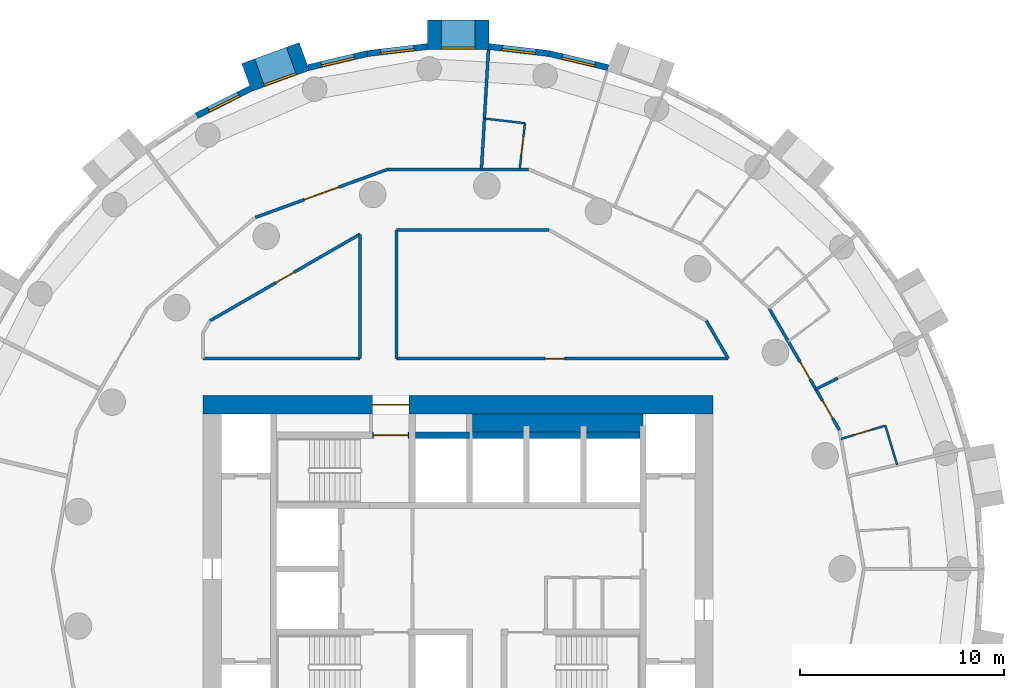
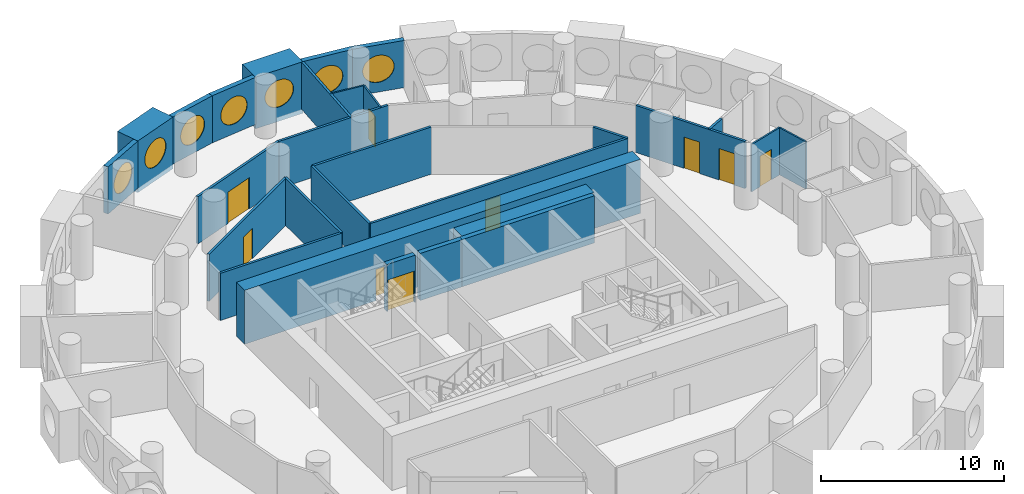
# One storey, part 6 of 9: 28 walls, 9 doors, 7 windows, 16 openings.
"""IFC4 building model written with IfcOpenShell, lengths in metres."""

from ifc_helpers import new_model, si_unit, direction, frame, frame_2d, origin, origin_2d, place, context, subcontext, project, spatial, rectangle, circle, extrude, material, layer, layer_set, type_object, element, fill, save


model = new_model("IFC4")

# Units and contexts
model_context = context("Model", 3, precision=1e-05, world=origin(), true_north=direction((0.0, 1.0)))
body_context = subcontext(model_context, "Body", "Model", "MODEL_VIEW")
ifc_project = project(units=[si_unit("LENGTHUNIT", "METRE"), si_unit("AREAUNIT", "SQUARE_METRE"), si_unit("VOLUMEUNIT", "CUBIC_METRE"), si_unit("PLANEANGLEUNIT", "RADIAN"), si_unit("MASSUNIT", "GRAM", prefix="KILO")], contexts=[model_context])

# Site, building, storey
site_placement = place(None, origin())
site = spatial("IfcSite", under=ifc_project, at=site_placement, CompositionType="ELEMENT")
building_placement = place(site_placement, origin())
building = spatial("IfcBuilding", under=site, at=building_placement, Name="Tracery Tower", CompositionType="ELEMENT")
storey_placement = place(building_placement, frame((0.0, 0.0, 216.0)))
storey = spatial("IfcBuildingStorey", under=building, at=storey_placement, Name="L56", CompositionType="ELEMENT", Elevation=216.0)

# Wall
ifc_material_1 = material(Name="Concrete C50/60", Category="concrete")
ifc_layer_1 = layer(ifc_material_1, 0.89990234375)
ifc_layer_set_1 = layer_set([ifc_layer_1], Name="Core strip wall 900 C50")
wall_type_1 = type_object("IfcWallType", Name="Core strip wall 900 C50", PredefinedType="SOLIDWALL", material=ifc_layer_set_1)
wall_1_placement = place(storey_placement, frame((0.699951171875, 7.14990234375, 0.0), z_axis=(0.0, 0.0, 1.0), x_axis=(1.0, 0.0, 0.0)))
element("IfcWall", 1, at=wall_1_placement, inside=storey, type_object=wall_type_1, Name="L56 F thick N E", PredefinedType="SOLIDWALL", context=body_context, shape_type="SweptSolid", body=[
    extrude(rectangle(XDim=8.35009765625, YDim=0.89990234375, at=frame_2d((4.175048828125, 0.0))), origin(), (0.0, 0.0, 1.0), 3.14990234375),
])

# Wall, opening, door
ifc_material_2 = material(Name="Concrete C50/60", Category="concrete")
ifc_layer_2 = layer(ifc_material_2, 0.89990234375)
ifc_layer_set_2 = layer_set([ifc_layer_2], Name="Core wall 900 C50")
wall_type_2 = type_object("IfcWallType", Name="Core wall 900 C50", PredefinedType="SOLIDWALL", material=ifc_layer_set_2)
wall_2_placement = place(storey_placement, frame((-12.5, 8.050048828125, 0.0), z_axis=(0.0, 0.0, 1.0), x_axis=(1.0, 0.0, 0.0)))
wall_2 = element("IfcWall", 2, at=wall_2_placement, inside=storey, type_object=wall_type_2, Name="L56 outer N", PredefinedType="SOLIDWALL", context=body_context, shape_type="SweptSolid", body=[
    extrude(rectangle(XDim=25.0, YDim=0.89990234375, at=frame_2d((12.5, 0.0))), origin(), (0.0, 0.0, 1.0), 3.60009765625),
])
opening_1_placement = place(wall_2_placement, frame((8.300048828125, 0.0, 0.0)))
opening_1 = element("IfcOpeningElement", 3, at=opening_1_placement, cuts=wall_2, Name="Opening KD13", PredefinedType="OPENING", context=body_context, shape_type="SweptSolid", body=[
    extrude(rectangle(XDim=1.800048828125, YDim=2.10009765625, at=frame_2d((0.89990234375, 1.050048828125))), frame((0.0, 0.449951171875, 0.0), z_axis=(0.0, -1.0, 0.0), x_axis=(1.0, 0.0, 0.0)), (0.0, 0.0, 1.0), 0.89990234375),
])
ifc_material_3 = material(Name="Steel fire door", Category="steel")
door_type_1 = type_object("IfcDoorType", Name="Core exit door 1800 double", OperationType="NOTDEFINED", PredefinedType="DOOR", material=ifc_material_3)
door_1_placement = place(opening_1_placement, origin())
door_1 = element("IfcDoor", 4, at=door_1_placement, inside=storey, type_object=door_type_1, Name="Core exit door", OperationType="DOUBLE_DOOR_SINGLE_SWING", OverallHeight=2.10009765625, OverallWidth=1.800048828125, PredefinedType="DOOR", context=body_context, shape_type="SweptSolid", body=[
    extrude(rectangle(XDim=1.800048828125, YDim=2.10009765625, at=frame_2d((0.89990234375, 1.050048828125))), frame((0.0, 0.02490234375, 0.0), z_axis=(0.0, -1.0, 0.0), x_axis=(1.0, 0.0, 0.0)), (0.0, 0.0, 1.0), 0.050048828125),
])
fill(opening_1, door_1)

# Wall, opening, window
ifc_material_4 = material(Name="Precast concrete C50/60", Category="concrete")
ifc_layer_3 = layer(ifc_material_4, 1.449951171875)
ifc_layer_set_3 = layer_set([ifc_layer_3], Name="Deep-set bay unit 3000 x 3450, slab edge 300")
wall_type_3 = type_object("IfcWallType", Name="Deep-set bay unit 3000 x 3450, slab edge 300", PredefinedType="ELEMENTEDWALL", material=ifc_layer_set_3)
wall_3_placement = place(storey_placement, frame((1.5, 26.178955078125, -0.300048828125), z_axis=(0.0, 0.0, 1.0), x_axis=(-1.0, 0.0, 0.0)))
wall_3 = element("IfcWall", 5, at=wall_3_placement, inside=storey, type_object=wall_type_3, Name="Deep-set bay unit 14 at L56", PredefinedType="ELEMENTEDWALL", context=body_context, shape_type="SweptSolid", body=[
    extrude(rectangle(XDim=3.0, YDim=1.449951171875, at=frame_2d((1.5, 0.0))), origin(), (0.0, 0.0, 1.0), 3.449951171875),
])
opening_2_placement = place(wall_3_placement, frame((1.5, 0.0, 1.85009765625)))
opening_2 = element("IfcOpeningElement", 6, at=opening_2_placement, cuts=wall_3, Name="Opening WN1", PredefinedType="OPENING", context=body_context, shape_type="SweptSolid", body=[
    extrude(circle(Radius=0.9000244140625, at=origin_2d()), frame((0.0, 0.73486328125, 0.0), z_axis=(0.0, -1.0, 0.0), x_axis=(1.0, 0.0, 0.0)), (0.0, 0.0, 1.0), 1.469970703125),
])
ifc_material_5 = material(Name="Aluminium frame with tinted double glazing", Category="aluminium")
window_type = type_object("IfcWindowType", Name="Round window 1800", PartitioningType="SINGLE_PANEL", PredefinedType="WINDOW", material=ifc_material_5)
window_1_placement = place(opening_2_placement, origin())
window_1 = element("IfcWindow", 7, at=window_1_placement, inside=storey, type_object=window_type, Name="Round window 14 at L56", OverallHeight=1.800048828125, OverallWidth=1.800048828125, PartitioningType="SINGLE_PANEL", PredefinedType="WINDOW", context=body_context, shape_type="SweptSolid", body=[
    extrude(circle(Radius=0.9000244140625, at=origin_2d()), frame((0.0, 0.69482421875, 0.0), z_axis=(0.0, -1.0, 0.0), x_axis=(1.0, 0.0, 0.0)), (0.0, 0.0, 1.0), 0.10009765625),
])
fill(opening_2, window_1)

wall_4_placement = place(storey_placement, frame((-7.544189453125, 25.11328125, -0.300048828125), z_axis=(0.0, 0.0, 1.0), x_axis=(-0.939686455819, -0.342037080957, 0.0)))
wall_4 = element("IfcWall", 8, at=wall_4_placement, inside=storey, type_object=wall_type_3, Name="Deep-set bay unit 17 at L56", PredefinedType="ELEMENTEDWALL", context=body_context, shape_type="SweptSolid", body=[
    extrude(rectangle(XDim=3.0, YDim=1.449951171875, at=frame_2d((1.5, 0.0))), origin(), (0.0, 0.0, 1.0), 3.449951171875),
])
opening_3_placement = place(wall_4_placement, frame((1.5, 0.0, 1.85009765625)))
opening_3 = element("IfcOpeningElement", 9, at=opening_3_placement, cuts=wall_4, Name="Opening WN1", PredefinedType="OPENING", context=body_context, shape_type="SweptSolid", body=[
    extrude(circle(Radius=0.9000244140625, at=origin_2d()), frame((0.0, 0.73486328125, 0.0), z_axis=(0.0, -1.0, 0.0), x_axis=(1.0, 0.0, 0.0)), (0.0, 0.0, 1.0), 1.469970703125),
])
window_2_placement = place(opening_3_placement, origin())
window_2 = element("IfcWindow", 10, at=window_2_placement, inside=storey, type_object=window_type, Name="Round window 17 at L56", OverallHeight=1.800048828125, OverallWidth=1.800048828125, PartitioningType="SINGLE_PANEL", PredefinedType="WINDOW", context=body_context, shape_type="SweptSolid", body=[
    extrude(circle(Radius=0.9000244140625, at=origin_2d()), frame((0.0, 0.69482421875, 0.0), z_axis=(0.0, -1.0, 0.0), x_axis=(1.0, 0.0, 0.0)), (0.0, 0.0, 1.0), 0.10009765625),
])
fill(opening_3, window_2)

ifc_material_6 = material(Name="Precast concrete C50/60", Category="concrete")
ifc_layer_4 = layer(ifc_material_6, 0.300048828125)
ifc_layer_set_4 = layer_set([ifc_layer_4], Name="Facade panel 3000 x 3150")
wall_type_4 = type_object("IfcWallType", Name="Facade panel 3000 x 3150", PredefinedType="SOLIDWALL", material=ifc_layer_set_4)
wall_5_placement = place(storey_placement, frame((7.346435546875, 24.572265625, 0.0), z_axis=(0.0, 0.0, 1.0), x_axis=(-0.973049746156, 0.230595298102, 0.0)))
wall_5 = element("IfcWall", 11, at=wall_5_placement, inside=storey, type_object=wall_type_4, Name="Facade panel 12 at L56", PredefinedType="SOLIDWALL", context=body_context, shape_type="SweptSolid", body=[
    extrude(rectangle(XDim=2.972900390625, YDim=0.300048828125, at=frame_2d((1.486328125, 0.0))), origin(), (0.0, 0.0, 1.0), 3.14990234375),
])
opening_4_placement = place(wall_5_placement, frame((1.486328125, 0.0, 1.5498046875)))
opening_4 = element("IfcOpeningElement", 12, at=opening_4_placement, cuts=wall_5, Name="Opening WN1", PredefinedType="OPENING", context=body_context, shape_type="SweptSolid", body=[
    extrude(circle(Radius=0.9000244140625, at=origin_2d()), frame((0.0, 0.159912109375, 0.0), z_axis=(0.0, -1.0, 0.0), x_axis=(1.0, 0.0, 0.0)), (0.0, 0.0, 1.0), 0.320068359375),
])
window_3_placement = place(opening_4_placement, origin())
window_3 = element("IfcWindow", 13, at=window_3_placement, inside=storey, type_object=window_type, Name="Round window 12 at L56", OverallHeight=1.800048828125, OverallWidth=1.800048828125, PartitioningType="SINGLE_PANEL", PredefinedType="WINDOW", context=body_context, shape_type="SweptSolid", body=[
    extrude(circle(Radius=0.9000244140625, at=origin_2d()), frame((0.0, 0.1201171875, 0.0), z_axis=(0.0, -1.0, 0.0), x_axis=(1.0, 0.0, 0.0)), (0.0, 0.0, 1.0), 0.10009765625),
])
fill(opening_4, window_3)

wall_6_placement = place(storey_placement, frame((4.45361328125, 25.2578125, 0.0), z_axis=(0.0, 0.0, 1.0), x_axis=(-0.993235542767, 0.116116995244, 0.0)))
wall_6 = element("IfcWall", 14, at=wall_6_placement, inside=storey, type_object=wall_type_4, Name="Facade panel 13 at L56", PredefinedType="SOLIDWALL", context=body_context, shape_type="SweptSolid", body=[
    extrude(rectangle(XDim=2.972900390625, YDim=0.300048828125, at=frame_2d((1.486328125, 0.0))), origin(), (0.0, 0.0, 1.0), 3.14990234375),
])
opening_5_placement = place(wall_6_placement, frame((1.486328125, 0.0, 1.5498046875)))
opening_5 = element("IfcOpeningElement", 15, at=opening_5_placement, cuts=wall_6, Name="Opening WN1", PredefinedType="OPENING", context=body_context, shape_type="SweptSolid", body=[
    extrude(circle(Radius=0.9000244140625, at=origin_2d()), frame((0.0, 0.159912109375, 0.0), z_axis=(0.0, -1.0, 0.0), x_axis=(1.0, 0.0, 0.0)), (0.0, 0.0, 1.0), 0.320068359375),
])
window_4_placement = place(opening_5_placement, origin())
window_4 = element("IfcWindow", 16, at=window_4_placement, inside=storey, type_object=window_type, Name="Round window 13 at L56", OverallHeight=1.800048828125, OverallWidth=1.800048828125, PartitioningType="SINGLE_PANEL", PredefinedType="WINDOW", context=body_context, shape_type="SweptSolid", body=[
    extrude(circle(Radius=0.9000244140625, at=origin_2d()), frame((0.0, 0.1201171875, 0.0), z_axis=(0.0, -1.0, 0.0), x_axis=(1.0, 0.0, 0.0)), (0.0, 0.0, 1.0), 0.10009765625),
])
fill(opening_5, window_4)

wall_7_placement = place(storey_placement, frame((-1.500732421875, 25.60302734375, 0.0), z_axis=(0.0, 0.0, 1.0), x_axis=(-0.993235542767, -0.116116995244, 0.0)))
wall_7 = element("IfcWall", 17, at=wall_7_placement, inside=storey, type_object=wall_type_4, Name="Facade panel 15 at L56", PredefinedType="SOLIDWALL", context=body_context, shape_type="SweptSolid", body=[
    extrude(rectangle(XDim=2.972900390625, YDim=0.300048828125, at=frame_2d((1.486328125, 0.0))), origin(), (0.0, 0.0, 1.0), 3.14990234375),
])
opening_6_placement = place(wall_7_placement, frame((1.486328125, 0.0, 1.5498046875)))
opening_6 = element("IfcOpeningElement", 18, at=opening_6_placement, cuts=wall_7, Name="Opening WN1", PredefinedType="OPENING", context=body_context, shape_type="SweptSolid", body=[
    extrude(circle(Radius=0.9000244140625, at=origin_2d()), frame((0.0, 0.159912109375, 0.0), z_axis=(0.0, -1.0, 0.0), x_axis=(1.0, 0.0, 0.0)), (0.0, 0.0, 1.0), 0.320068359375),
])
window_5_placement = place(opening_6_placement, origin())
window_5 = element("IfcWindow", 19, at=window_5_placement, inside=storey, type_object=window_type, Name="Round window 15 at L56", OverallHeight=1.800048828125, OverallWidth=1.800048828125, PartitioningType="SINGLE_PANEL", PredefinedType="WINDOW", context=body_context, shape_type="SweptSolid", body=[
    extrude(circle(Radius=0.9000244140625, at=origin_2d()), frame((0.0, 0.1201171875, 0.0), z_axis=(0.0, -1.0, 0.0), x_axis=(1.0, 0.0, 0.0)), (0.0, 0.0, 1.0), 0.10009765625),
])
fill(opening_6, window_5)

wall_8_placement = place(storey_placement, frame((-4.45361328125, 25.2578125, 0.0), z_axis=(0.0, 0.0, 1.0), x_axis=(-0.973049746156, -0.230595298102, 0.0)))
wall_8 = element("IfcWall", 20, at=wall_8_placement, inside=storey, type_object=wall_type_4, Name="Facade panel 16 at L56", PredefinedType="SOLIDWALL", context=body_context, shape_type="SweptSolid", body=[
    extrude(rectangle(XDim=2.972900390625, YDim=0.300048828125, at=frame_2d((1.486328125, 0.0))), origin(), (0.0, 0.0, 1.0), 3.14990234375),
])
opening_7_placement = place(wall_8_placement, frame((1.486328125, 0.0, 1.5498046875)))
opening_7 = element("IfcOpeningElement", 21, at=opening_7_placement, cuts=wall_8, Name="Opening WN1", PredefinedType="OPENING", context=body_context, shape_type="SweptSolid", body=[
    extrude(circle(Radius=0.9000244140625, at=origin_2d()), frame((0.0, 0.159912109375, 0.0), z_axis=(0.0, -1.0, 0.0), x_axis=(1.0, 0.0, 0.0)), (0.0, 0.0, 1.0), 0.320068359375),
])
window_6_placement = place(opening_7_placement, origin())
window_6 = element("IfcWindow", 22, at=window_6_placement, inside=storey, type_object=window_type, Name="Round window 16 at L56", OverallHeight=1.800048828125, OverallWidth=1.800048828125, PartitioningType="SINGLE_PANEL", PredefinedType="WINDOW", context=body_context, shape_type="SweptSolid", body=[
    extrude(circle(Radius=0.9000244140625, at=origin_2d()), frame((0.0, 0.1201171875, 0.0), z_axis=(0.0, -1.0, 0.0), x_axis=(1.0, 0.0, 0.0)), (0.0, 0.0, 1.0), 0.10009765625),
])
fill(opening_7, window_6)

wall_9_placement = place(storey_placement, frame((-10.1669921875, 23.545654296875, 0.0), z_axis=(0.0, 0.0, 1.0), x_axis=(-0.893637442555, -0.448789618045, 0.0)))
wall_9 = element("IfcWall", 23, at=wall_9_placement, inside=storey, type_object=wall_type_4, Name="Facade panel 18 at L56", PredefinedType="SOLIDWALL", context=body_context, shape_type="SweptSolid", body=[
    extrude(rectangle(XDim=2.972900390625, YDim=0.300048828125, at=frame_2d((1.486328125, 0.0))), origin(), (0.0, 0.0, 1.0), 3.14990234375),
])
opening_8_placement = place(wall_9_placement, frame((1.486328125, 0.0, 1.5498046875)))
opening_8 = element("IfcOpeningElement", 24, at=opening_8_placement, cuts=wall_9, Name="Opening WN1", PredefinedType="OPENING", context=body_context, shape_type="SweptSolid", body=[
    extrude(circle(Radius=0.9000244140625, at=origin_2d()), frame((0.0, 0.159912109375, 0.0), z_axis=(0.0, -1.0, 0.0), x_axis=(1.0, 0.0, 0.0)), (0.0, 0.0, 1.0), 0.320068359375),
])
window_7_placement = place(opening_8_placement, origin())
window_7 = element("IfcWindow", 25, at=window_7_placement, inside=storey, type_object=window_type, Name="Round window 18 at L56", OverallHeight=1.800048828125, OverallWidth=1.800048828125, PartitioningType="SINGLE_PANEL", PredefinedType="WINDOW", context=body_context, shape_type="SweptSolid", body=[
    extrude(circle(Radius=0.9000244140625, at=origin_2d()), frame((0.0, 0.1201171875, 0.0), z_axis=(0.0, -1.0, 0.0), x_axis=(1.0, 0.0, 0.0)), (0.0, 0.0, 1.0), 0.10009765625),
])
fill(opening_8, window_7)

# Wall
ifc_material_7 = material(Name="Plasterboard on steel studs", Category="steel")
ifc_layer_5 = layer(ifc_material_7, 0.10009765625)
ifc_layer_set_5 = layer_set([ifc_layer_5], Name="Partition 100 wet wall")
wall_type_5 = type_object("IfcWallType", Name="Partition 100 wet wall", PredefinedType="PARTITIONING", material=ifc_layer_set_5)
wall_10_placement = place(storey_placement, frame((20.94091796875, 7.01806640625, 0.0), z_axis=(0.0, 0.0, 1.0), x_axis=(0.287124264191, -0.957893343182, 0.0)))
element("IfcWall", 26, at=wall_10_placement, inside=storey, type_object=wall_type_5, Name="Wet wall RB9-043", PredefinedType="PARTITIONING", context=body_context, shape_type="SweptSolid", body=[
    extrude(rectangle(XDim=2.00341796875, YDim=0.10009765625, at=frame_2d((1.001708984375, 0.0))), origin(), (0.0, 0.0, 1.0), 3.14990234375),
])

# Wall, opening, door
wall_11_placement = place(storey_placement, frame((18.764892578125, 6.366943359375, 0.0), z_axis=(0.0, 0.0, 1.0), x_axis=(0.958030169919, 0.286667391807, 0.0)))
wall_11 = element("IfcWall", 27, at=wall_11_placement, inside=storey, type_object=wall_type_5, Name="Wet wall RB9-044", PredefinedType="PARTITIONING", context=body_context, shape_type="SweptSolid", body=[
    extrude(rectangle(XDim=2.271240234375, YDim=0.10009765625, at=frame_2d((1.1357421875, 0.0))), origin(), (0.0, 0.0, 1.0), 3.14990234375),
])
opening_9_placement = place(wall_11_placement, frame((0.685302734375, 0.0, 0.0)))
opening_9 = element("IfcOpeningElement", 28, at=opening_9_placement, cuts=wall_11, Name="Opening RB9-07", PredefinedType="OPENING", context=body_context, shape_type="SweptSolid", body=[
    extrude(rectangle(XDim=0.89990234375, YDim=2.0400390625, at=frame_2d((0.449951171875, 1.02001953125))), frame((0.0, 0.050048828125, 0.0), z_axis=(0.0, -1.0, 0.0), x_axis=(1.0, 0.0, 0.0)), (0.0, 0.0, 1.0), 0.10009765625),
])
ifc_material_8 = material(Name="Timber door leaf", Category="wood")
door_type_2 = type_object("IfcDoorType", Name="Door en-suite 900", OperationType="NOTDEFINED", PredefinedType="DOOR", material=ifc_material_8)
door_2_placement = place(opening_9_placement, origin())
door_2 = element("IfcDoor", 29, at=door_2_placement, inside=storey, type_object=door_type_2, Name="En-suite door RB9-07", OperationType="SINGLE_SWING_RIGHT", OverallHeight=2.0400390625, OverallWidth=0.89990234375, PredefinedType="DOOR", context=body_context, shape_type="SweptSolid", body=[
    extrude(rectangle(XDim=0.89990234375, YDim=2.0400390625, at=frame_2d((0.449951171875, 1.02001953125))), frame((0.0, 0.02490234375, 0.0), z_axis=(0.0, -1.0, 0.0), x_axis=(1.0, 0.0, 0.0)), (0.0, 0.0, 1.0), 0.050048828125),
])
fill(opening_9, door_2)

wall_12_placement = place(storey_placement, frame((3.011962890625, 19.5859375, 0.0), z_axis=(0.0, 0.0, 1.0), x_axis=(0.115762284594, 0.993276947012, 0.0)))
wall_12 = element("IfcWall", 30, at=wall_12_placement, inside=storey, type_object=wall_type_5, Name="Wet wall RB9-060", PredefinedType="PARTITIONING", context=body_context, shape_type="SweptSolid", body=[
    extrude(rectangle(XDim=2.271484375, YDim=0.10009765625, at=frame_2d((1.1357421875, 0.0))), origin(), (0.0, 0.0, 1.0), 3.14990234375),
])
opening_10_placement = place(wall_12_placement, frame((0.68603515625, 0.0, 0.0)))
opening_10 = element("IfcOpeningElement", 31, at=opening_10_placement, cuts=wall_12, Name="Opening RB9-17", PredefinedType="OPENING", context=body_context, shape_type="SweptSolid", body=[
    extrude(rectangle(XDim=0.89990234375, YDim=2.0400390625, at=frame_2d((0.449951171875, 1.02001953125))), frame((0.0, 0.050048828125, 0.0), z_axis=(0.0, -1.0, 0.0), x_axis=(1.0, 0.0, 0.0)), (0.0, 0.0, 1.0), 0.10009765625),
])
door_3_placement = place(opening_10_placement, origin())
door_3 = element("IfcDoor", 32, at=door_3_placement, inside=storey, type_object=door_type_2, Name="En-suite door RB9-17", OperationType="SINGLE_SWING_RIGHT", OverallHeight=2.0400390625, OverallWidth=0.89990234375, PredefinedType="DOOR", context=body_context, shape_type="SweptSolid", body=[
    extrude(rectangle(XDim=0.89990234375, YDim=2.0400390625, at=frame_2d((0.449951171875, 1.02001953125))), frame((0.0, 0.02490234375, 0.0), z_axis=(0.0, -1.0, 0.0), x_axis=(1.0, 0.0, 0.0)), (0.0, 0.0, 1.0), 0.050048828125),
])
fill(opening_10, door_3)

# Walls
wall_13_placement = place(storey_placement, frame((1.285888671875, 22.073974609375, 0.0), z_axis=(0.0, 0.0, 1.0), x_axis=(0.993269919916, -0.115822563388, 0.0)))
element("IfcWall", 33, at=wall_13_placement, inside=storey, type_object=wall_type_5, Name="Wet wall RB9-061", PredefinedType="PARTITIONING", context=body_context, shape_type="SweptSolid", body=[
    extrude(rectangle(XDim=2.00244140625, YDim=0.10009765625, at=frame_2d((1.001220703125, 0.0))), origin(), (0.0, 0.0, 1.0), 3.14990234375),
])
ifc_material_9 = material(Name="Plasterboard on steel studs", Category="steel")
ifc_layer_6 = layer(ifc_material_9, 0.14990234375)
ifc_layer_set_6 = layer_set([ifc_layer_6], Name="Partition 150 acoustic unit wall")
wall_type_6 = type_object("IfcWallType", Name="Partition 150 acoustic unit wall", PredefinedType="PARTITIONING", material=ifc_layer_set_6)
wall_14_placement = place(storey_placement, frame((17.531982421875, 8.804931640625, 0.0), z_axis=(0.0, 0.0, 1.0), x_axis=(0.893574741649, 0.448914447403, 0.0)))
element("IfcWall", 34, at=wall_14_placement, inside=storey, type_object=wall_type_6, Name="Unit wall RB9-045", PredefinedType="PARTITIONING", context=body_context, shape_type="SweptSolid", body=[
    extrude(rectangle(XDim=1.205078125, YDim=0.14990234375, at=frame_2d((0.6025390625, 0.0))), origin(), (0.0, 0.0, 1.0), 3.14990234375),
])
wall_15_placement = place(storey_placement, frame((1.14111328125, 19.5859375, 0.0), z_axis=(0.0, 0.0, 1.0), x_axis=(0.058147412668, 0.998308007781, 0.0)))
element("IfcWall", 35, at=wall_15_placement, inside=storey, type_object=wall_type_6, Name="Unit wall RB9-062", PredefinedType="PARTITIONING", context=body_context, shape_type="SweptSolid", body=[
    extrude(rectangle(XDim=5.878173828125, YDim=0.14990234375, at=frame_2d((2.93896484375, 0.0))), origin(), (0.0, 0.0, 1.0), 3.14990234375),
])
ifc_material_10 = material(Name="Plasterboard on steel studs", Category="steel")
ifc_layer_7 = layer(ifc_material_10, 0.14990234375)
ifc_layer_set_7 = layer_set([ifc_layer_7], Name="Partition 150 corridor wall")
wall_type_7 = type_object("IfcWallType", Name="Partition 150 corridor wall", PredefinedType="PARTITIONING", material=ifc_layer_set_7)
wall_16_placement = place(storey_placement, frame((-12.50390625, 10.300048828125, 0.0), z_axis=(0.0, 0.0, 1.0), x_axis=(1.0, 0.0, 0.0)))
element("IfcWall", 36, at=wall_16_placement, inside=storey, type_object=wall_type_7, Name="Corridor wall RB9-001", PredefinedType="PARTITIONING", context=body_context, shape_type="SweptSolid", body=[
    extrude(rectangle(XDim=7.68701171875, YDim=0.14990234375, at=frame_2d((3.843505859375, 0.0))), origin(), (0.0, 0.0, 1.0), 3.14990234375),
])

# Wall, opening, door
wall_17_placement = place(storey_placement, frame((-3.02490234375, 10.300048828125, 0.0), z_axis=(0.0, 0.0, 1.0), x_axis=(1.0, 0.0, 0.0)))
wall_17 = element("IfcWall", 37, at=wall_17_placement, inside=storey, type_object=wall_type_7, Name="Corridor wall RB9-002", PredefinedType="PARTITIONING", context=body_context, shape_type="SweptSolid", body=[
    extrude(rectangle(XDim=16.261962890625, YDim=0.14990234375, at=frame_2d((8.130859375, 0.0))), origin(), (0.0, 0.0, 1.0), 3.14990234375),
])
opening_11_placement = place(wall_17_placement, frame((7.2880859375, 0.0, 0.0)))
opening_11 = element("IfcOpeningElement", 38, at=opening_11_placement, cuts=wall_17, Name="Opening RB9-02", PredefinedType="OPENING", context=body_context, shape_type="SweptSolid", body=[
    extrude(rectangle(XDim=0.949951171875, YDim=2.10009765625, at=frame_2d((0.47509765625, 1.050048828125))), frame((0.0, 0.074951171875, 0.0), z_axis=(0.0, -1.0, 0.0), x_axis=(1.0, 0.0, 0.0)), (0.0, 0.0, 1.0), 0.14990234375),
])
ifc_material_11 = material(Name="Timber door leaf", Category="wood")
door_type_3 = type_object("IfcDoorType", Name="Door store 950", OperationType="NOTDEFINED", PredefinedType="DOOR", material=ifc_material_11)
door_4_placement = place(opening_11_placement, origin())
door_4 = element("IfcDoor", 39, at=door_4_placement, inside=storey, type_object=door_type_3, Name="Store door RB9-02", OperationType="SINGLE_SWING_RIGHT", OverallHeight=2.10009765625, OverallWidth=0.949951171875, PredefinedType="DOOR", context=body_context, shape_type="SweptSolid", body=[
    extrude(rectangle(XDim=0.949951171875, YDim=2.10009765625, at=frame_2d((0.47509765625, 1.050048828125))), frame((0.0, 0.02490234375, 0.0), z_axis=(0.0, -1.0, 0.0), x_axis=(1.0, 0.0, 0.0)), (0.0, 0.0, 1.0), 0.050048828125),
])
fill(opening_11, door_4)

# Wall
wall_18_placement = place(storey_placement, frame((12.162109375, 12.162109375, 0.0), z_axis=(0.0, 0.0, 1.0), x_axis=(0.499961633463, -0.866047553582, 0.0)))
element("IfcWall", 40, at=wall_18_placement, inside=storey, type_object=wall_type_7, Name="Corridor wall RB9-005", PredefinedType="PARTITIONING", context=body_context, shape_type="SweptSolid", body=[
    extrude(rectangle(XDim=2.150146484375, YDim=0.14990234375, at=frame_2d((1.0751953125, 0.0))), origin(), (0.0, 0.0, 1.0), 3.14990234375),
])

# Wall, openings, doors
wall_19_placement = place(storey_placement, frame((15.23486328125, 12.783935546875, 0.0), z_axis=(0.0, 0.0, 1.0), x_axis=(0.499940714931, -0.86605962933, 0.0)))
wall_19 = element("IfcWall", 41, at=wall_19_placement, inside=storey, type_object=wall_type_7, Name="Corridor wall RB9-008", PredefinedType="PARTITIONING", context=body_context, shape_type="SweptSolid", body=[
    extrude(rectangle(XDim=6.906982421875, YDim=0.14990234375, at=frame_2d((3.45361328125, 0.0))), origin(), (0.0, 0.0, 1.0), 3.14990234375),
])
opening_12_placement = place(wall_19_placement, frame((5.248779296875, 0.0, 0.0)))
opening_12 = element("IfcOpeningElement", 42, at=opening_12_placement, cuts=wall_19, Name="Opening RB9-08", PredefinedType="OPENING", context=body_context, shape_type="SweptSolid", body=[
    extrude(rectangle(XDim=1.0, YDim=2.10009765625, at=frame_2d((0.5, 1.050048828125))), frame((0.0, 0.074951171875, 0.0), z_axis=(0.0, -1.0, 0.0), x_axis=(1.0, 0.0, 0.0)), (0.0, 0.0, 1.0), 0.14990234375),
])
opening_13_placement = place(wall_19_placement, frame((3.041015625, 0.0, 0.0)))
opening_13 = element("IfcOpeningElement", 43, at=opening_13_placement, cuts=wall_19, Name="Opening RB9-10", PredefinedType="OPENING", context=body_context, shape_type="SweptSolid", body=[
    extrude(rectangle(XDim=1.0, YDim=2.10009765625, at=frame_2d((0.5, 1.050048828125))), frame((0.0, 0.074951171875, 0.0), z_axis=(0.0, -1.0, 0.0), x_axis=(1.0, 0.0, 0.0)), (0.0, 0.0, 1.0), 0.14990234375),
])
ifc_material_12 = material(Name="Timber door leaf", Category="wood")
door_type_4 = type_object("IfcDoorType", Name="Door unit entrance 1000", OperationType="NOTDEFINED", PredefinedType="DOOR", material=ifc_material_12)
door_5_placement = place(opening_12_placement, origin())
door_5 = element("IfcDoor", 44, at=door_5_placement, inside=storey, type_object=door_type_4, Name="Unit entrance door RB9-08", OperationType="SINGLE_SWING_LEFT", OverallHeight=2.10009765625, OverallWidth=1.0, PredefinedType="DOOR", context=body_context, shape_type="SweptSolid", body=[
    extrude(rectangle(XDim=1.0, YDim=2.10009765625, at=frame_2d((0.5, 1.050048828125))), frame((0.0, 0.02490234375, 0.0), z_axis=(0.0, -1.0, 0.0), x_axis=(1.0, 0.0, 0.0)), (0.0, 0.0, 1.0), 0.050048828125),
])
fill(opening_12, door_5)
door_6_placement = place(opening_13_placement, origin())
door_6 = element("IfcDoor", 45, at=door_6_placement, inside=storey, type_object=door_type_4, Name="Unit entrance door RB9-10", OperationType="SINGLE_SWING_RIGHT", OverallHeight=2.10009765625, OverallWidth=1.0, PredefinedType="DOOR", context=body_context, shape_type="SweptSolid", body=[
    extrude(rectangle(XDim=1.0, YDim=2.10009765625, at=frame_2d((0.5, 1.050048828125))), frame((0.0, 0.02490234375, 0.0), z_axis=(0.0, -1.0, 0.0), x_axis=(1.0, 0.0, 0.0)), (0.0, 0.0, 1.0), 0.050048828125),
])
fill(opening_13, door_6)

# Wall
wall_20_placement = place(storey_placement, frame((-4.821044921875, 10.300048828125, 0.0), z_axis=(0.0, 0.0, 1.0), x_axis=(0.0, 1.0, 0.0)))
element("IfcWall", 46, at=wall_20_placement, inside=storey, type_object=wall_type_7, Name="Corridor wall RB9-013", PredefinedType="PARTITIONING", context=body_context, shape_type="SweptSolid", body=[
    extrude(rectangle(XDim=6.100830078125, YDim=0.14990234375, at=frame_2d((3.05029296875, 0.0))), origin(), (0.0, 0.0, 1.0), 3.14990234375),
])

# Wall, opening, door
wall_21_placement = place(storey_placement, frame((-12.162109375, 12.162109375, 0.0), z_axis=(0.0, 0.0, 1.0), x_axis=(0.866004766557, 0.500035743023, 0.0)))
wall_21 = element("IfcWall", 47, at=wall_21_placement, inside=storey, type_object=wall_type_7, Name="Corridor wall RB9-014", PredefinedType="PARTITIONING", context=body_context, shape_type="SweptSolid", body=[
    extrude(rectangle(XDim=8.47705078125, YDim=0.14990234375, at=frame_2d((4.238525390625, 0.0))), origin(), (0.0, 0.0, 1.0), 3.14990234375),
])
opening_14_placement = place(wall_21_placement, frame((3.739013671875, 0.0, 0.0)))
opening_14 = element("IfcOpeningElement", 48, at=opening_14_placement, cuts=wall_21, Name="Opening RB9-01", PredefinedType="OPENING", context=body_context, shape_type="SweptSolid", body=[
    extrude(rectangle(XDim=1.0, YDim=2.0400390625, at=frame_2d((0.5, 1.02001953125))), frame((0.0, 0.074951171875, 0.0), z_axis=(0.0, -1.0, 0.0), x_axis=(1.0, 0.0, 0.0)), (0.0, 0.0, 1.0), 0.14990234375),
])
ifc_material_13 = material(Name="Timber door leaf", Category="wood")
door_type_5 = type_object("IfcDoorType", Name="Door communal room 1000", OperationType="NOTDEFINED", PredefinedType="DOOR", material=ifc_material_13)
door_7_placement = place(opening_14_placement, origin())
door_7 = element("IfcDoor", 49, at=door_7_placement, inside=storey, type_object=door_type_5, Name="Communal room door RB9-01", OperationType="SINGLE_SWING_LEFT", OverallHeight=2.0400390625, OverallWidth=1.0, PredefinedType="DOOR", context=body_context, shape_type="SweptSolid", body=[
    extrude(rectangle(XDim=1.0, YDim=2.0400390625, at=frame_2d((0.5, 1.02001953125))), frame((0.0, 0.02490234375, 0.0), z_axis=(0.0, -1.0, 0.0), x_axis=(1.0, 0.0, 0.0)), (0.0, 0.0, 1.0), 0.050048828125),
])
fill(opening_14, door_7)

# Walls
wall_22_placement = place(storey_placement, frame((-3.02099609375, 16.614013671875, 0.0), z_axis=(0.0, 0.0, 1.0), x_axis=(1.0, 0.0, 0.0)))
element("IfcWall", 50, at=wall_22_placement, inside=storey, type_object=wall_type_7, Name="Corridor wall RB9-016", PredefinedType="PARTITIONING", context=body_context, shape_type="SweptSolid", body=[
    extrude(rectangle(XDim=7.472900390625, YDim=0.14990234375, at=frame_2d((3.736328125, 0.0))), origin(), (0.0, 0.0, 1.0), 3.14990234375),
])
wall_23_placement = place(storey_placement, frame((-3.02099609375, 10.300048828125, 0.0), z_axis=(0.0, 0.0, 1.0), x_axis=(0.0, 1.0, 0.0)))
element("IfcWall", 51, at=wall_23_placement, inside=storey, type_object=wall_type_7, Name="Corridor wall RB9-017", PredefinedType="PARTITIONING", context=body_context, shape_type="SweptSolid", body=[
    extrude(rectangle(XDim=6.31396484375, YDim=0.14990234375, at=frame_2d((3.156982421875, 0.0))), origin(), (0.0, 0.0, 1.0), 3.14990234375),
])
wall_24_placement = place(storey_placement, frame((-3.452880859375, 19.5859375, 0.0), z_axis=(0.0, 0.0, 1.0), x_axis=(1.0, 0.0, 0.0)))
element("IfcWall", 52, at=wall_24_placement, inside=storey, type_object=wall_type_7, Name="Corridor wall RB9-019", PredefinedType="PARTITIONING", context=body_context, shape_type="SweptSolid", body=[
    extrude(rectangle(XDim=6.90576171875, YDim=0.14990234375, at=frame_2d((3.452880859375, 0.0))), origin(), (0.0, 0.0, 1.0), 3.14990234375),
])

# Wall, opening, door
wall_25_placement = place(storey_placement, frame((-9.944091796875, 17.222900390625, 0.0), z_axis=(0.0, 0.0, 1.0), x_axis=(0.939672634566, 0.342075050021, 0.0)))
wall_25 = element("IfcWall", 53, at=wall_25_placement, inside=storey, type_object=wall_type_7, Name="Corridor wall RB9-021", PredefinedType="PARTITIONING", context=body_context, shape_type="SweptSolid", body=[
    extrude(rectangle(XDim=6.907958984375, YDim=0.14990234375, at=frame_2d((3.4541015625, 0.0))), origin(), (0.0, 0.0, 1.0), 3.14990234375),
])
opening_15_placement = place(wall_25_placement, frame((2.553955078125, 0.0, 0.0)))
opening_15 = element("IfcOpeningElement", 54, at=opening_15_placement, cuts=wall_25, Name="Opening RB9-18", PredefinedType="OPENING", context=body_context, shape_type="SweptSolid", body=[
    extrude(rectangle(XDim=1.800048828125, YDim=2.10009765625, at=frame_2d((0.89990234375, 1.050048828125))), frame((0.0, 0.074951171875, 0.0), z_axis=(0.0, -1.0, 0.0), x_axis=(1.0, 0.0, 0.0)), (0.0, 0.0, 1.0), 0.14990234375),
])
ifc_material_14 = material(Name="Timber door leaf", Category="wood")
door_type_6 = type_object("IfcDoorType", Name="Door double lounge 1800", OperationType="NOTDEFINED", PredefinedType="DOOR", material=ifc_material_14)
door_8_placement = place(opening_15_placement, origin())
door_8 = element("IfcDoor", 55, at=door_8_placement, inside=storey, type_object=door_type_6, Name="Double lounge door RB9-18", OperationType="DOUBLE_DOOR_SINGLE_SWING", OverallHeight=2.10009765625, OverallWidth=1.800048828125, PredefinedType="DOOR", context=body_context, shape_type="SweptSolid", body=[
    extrude(rectangle(XDim=1.800048828125, YDim=2.10009765625, at=frame_2d((0.89990234375, 1.050048828125))), frame((0.0, 0.02490234375, 0.0), z_axis=(0.0, -1.0, 0.0), x_axis=(1.0, 0.0, 0.0)), (0.0, 0.0, 1.0), 0.050048828125),
])
fill(opening_15, door_8)

ifc_material_15 = material(Name="Concrete C50/60", Category="concrete")
ifc_layer_8 = layer(ifc_material_15, 0.300048828125)
ifc_layer_set_8 = layer_set([ifc_layer_8], Name="Stair wall 300 C50")
wall_type_8 = type_object("IfcWallType", Name="Stair wall 300 C50", PredefinedType="SOLIDWALL", material=ifc_layer_set_8)
wall_26_placement = place(storey_placement, frame((-4.199951171875, 6.550048828125, 0.0), z_axis=(0.0, 0.0, 1.0), x_axis=(1.0, 0.0, 0.0)))
wall_26 = element("IfcWall", 56, at=wall_26_placement, inside=storey, type_object=wall_type_8, Name="L56 F stair N", PredefinedType="SOLIDWALL", context=body_context, shape_type="SweptSolid", body=[
    extrude(rectangle(XDim=1.800048828125, YDim=0.300048828125, at=frame_2d((0.89990234375, 0.0))), origin(), (0.0, 0.0, 1.0), 3.14990234375),
])
opening_16_placement = place(wall_26_placement, frame((0.050048828125, 0.0, 0.0)))
opening_16 = element("IfcOpeningElement", 57, at=opening_16_placement, cuts=wall_26, Name="Opening KD3", PredefinedType="OPENING", context=body_context, shape_type="SweptSolid", body=[
    extrude(rectangle(XDim=1.699951171875, YDim=2.10009765625, at=frame_2d((0.85009765625, 1.050048828125))), frame((0.0, 0.14990234375, 0.0), z_axis=(0.0, -1.0, 0.0), x_axis=(1.0, 0.0, 0.0)), (0.0, 0.0, 1.0), 0.300048828125),
])
ifc_material_16 = material(Name="Steel fire door", Category="steel")
door_type_7 = type_object("IfcDoorType", Name="Core stair door 1700 double", OperationType="NOTDEFINED", PredefinedType="DOOR", material=ifc_material_16)
door_9_placement = place(opening_16_placement, origin())
door_9 = element("IfcDoor", 58, at=door_9_placement, inside=storey, type_object=door_type_7, Name="Stair door vest", OperationType="DOUBLE_DOOR_SINGLE_SWING", OverallHeight=2.10009765625, OverallWidth=1.699951171875, PredefinedType="DOOR", context=body_context, shape_type="SweptSolid", body=[
    extrude(rectangle(XDim=1.699951171875, YDim=2.10009765625, at=frame_2d((0.85009765625, 1.050048828125))), frame((0.0, 0.02490234375, 0.0), z_axis=(0.0, -1.0, 0.0), x_axis=(1.0, 0.0, 0.0)), (0.0, 0.0, 1.0), 0.050048828125),
])
fill(opening_16, door_9)

# Walls
wall_27_placement = place(storey_placement, frame((-2.10009765625, 6.550048828125, 0.0), z_axis=(0.0, 0.0, 1.0), x_axis=(1.0, 0.0, 0.0)))
element("IfcWall", 59, at=wall_27_placement, inside=storey, type_object=wall_type_8, Name="L56 F N E1", PredefinedType="SOLIDWALL", context=body_context, shape_type="SweptSolid", body=[
    extrude(rectangle(XDim=2.650146484375, YDim=0.300048828125, at=frame_2d((1.3251953125, 0.0))), origin(), (0.0, 0.0, 1.0), 3.14990234375),
])
wall_28_placement = place(storey_placement, frame((0.550048828125, 6.550048828125, 0.0), z_axis=(0.0, 0.0, 1.0), x_axis=(1.0, 0.0, 0.0)))
element("IfcWall", 60, at=wall_28_placement, inside=storey, type_object=wall_type_8, Name="L56 F stair strip N E", PredefinedType="SOLIDWALL", context=body_context, shape_type="SweptSolid", body=[
    extrude(rectangle(XDim=8.349853515625, YDim=0.300048828125, at=frame_2d((4.1748046875, 0.0))), origin(), (0.0, 0.0, 1.0), 3.14990234375),
])

save(model, "model.ifc")
